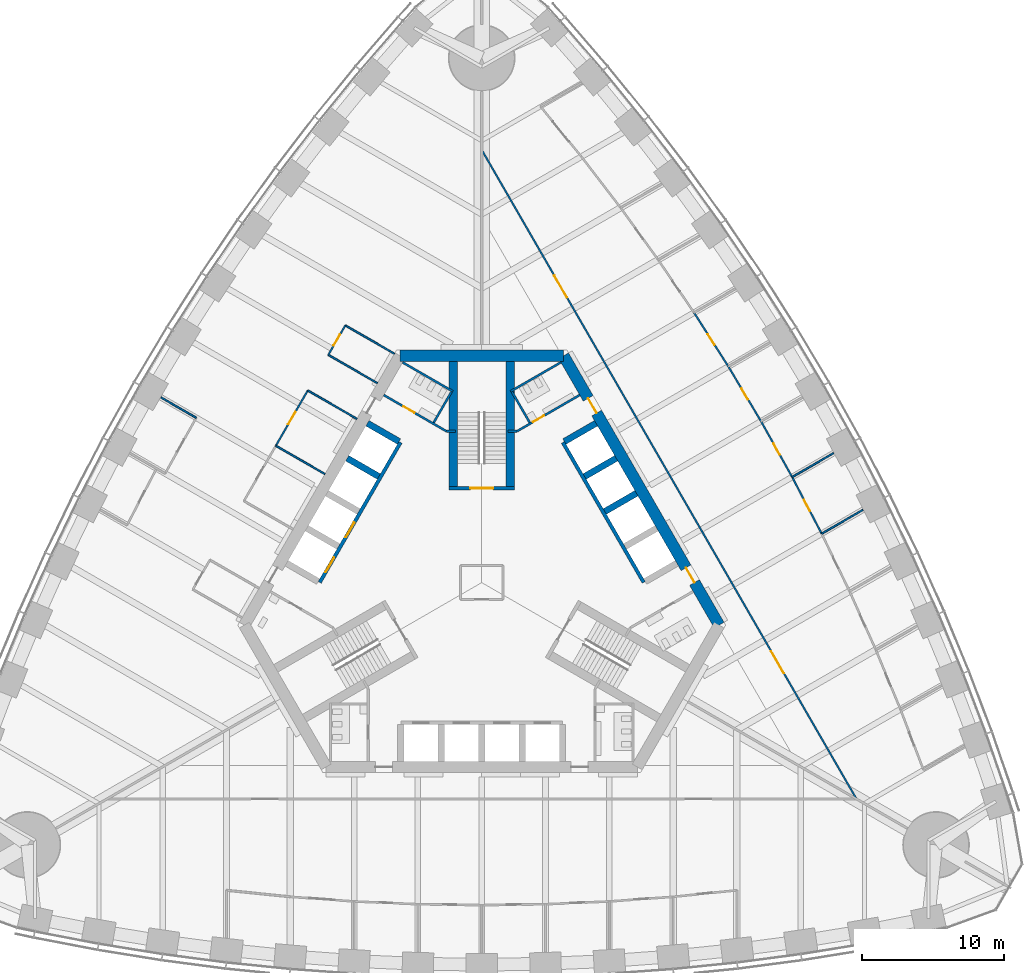
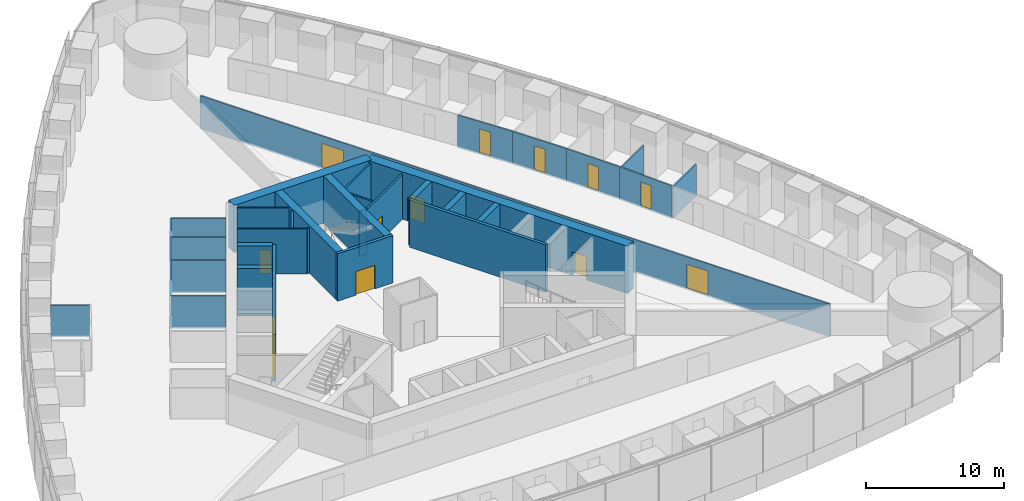
# One storey, part 12 of 18: 34 walls, 15 doors, 15 openings.
"""IFC4 building model written with IfcOpenShell, lengths in metres."""

from ifc_helpers import new_model, si_unit, direction, frame, frame_2d, origin, place, context, subcontext, project, spatial, rectangle, extrude, material, layer, layer_set, type_object, element, fill, save


model = new_model("IFC4")

# Units and contexts
model_context = context("Model", 3, precision=1e-05, world=origin(), true_north=direction((0.0, 1.0)))
body_context = subcontext(model_context, "Body", "Model", "MODEL_VIEW")
ifc_project = project(units=[si_unit("LENGTHUNIT", "METRE"), si_unit("AREAUNIT", "SQUARE_METRE"), si_unit("VOLUMEUNIT", "CUBIC_METRE"), si_unit("PLANEANGLEUNIT", "RADIAN"), si_unit("MASSUNIT", "GRAM", prefix="KILO")], contexts=[model_context])

# Site, building, storey
site_placement = place(None, origin())
site = spatial("IfcSite", under=ifc_project, at=site_placement, CompositionType="ELEMENT")
building_placement = place(site_placement, origin())
building = spatial("IfcBuilding", under=site, at=building_placement, Name="Trefoil Bronze Tower", CompositionType="ELEMENT")
storey_placement = place(building_placement, frame((0.0, 0.0, 62.699951171875)))
storey = spatial("IfcBuildingStorey", under=building, at=storey_placement, Name="L14", CompositionType="ELEMENT", Elevation=62.699951171875)

# Wall, openings, doors
ifc_material_1 = material(Name="Concrete B80", Category="concrete")
ifc_layer_1 = layer(ifc_material_1, 0.800048828125)
ifc_layer_set_1 = layer_set([ifc_layer_1], Name="Core wall 800")
wall_type_1 = type_object("IfcWallType", Name="Core wall 800", PredefinedType="SHEAR", material=ifc_layer_set_1)
wall_1_placement = place(storey_placement, frame((16.7431640625, -3.0, 0.0), z_axis=(0.0, 0.0, 1.0), x_axis=(-0.500002442456, 0.866023993627, 0.0)))
wall_1 = element("IfcWall", 1, at=wall_1_placement, inside=storey, type_object=wall_type_1, Name="Core long wall 2 L14", PredefinedType="SHEAR", context=body_context, shape_type="SweptSolid", body=[
    extrude(rectangle(XDim=21.939453125, YDim=0.800048828125, at=frame_2d((10.9697265625, 0.0))), origin(), (0.0, 0.0, 1.0), 4.199951171875),
])
opening_1_placement = place(wall_1_placement, frame((17.269775390625, 0.0, 0.0)))
opening_1 = element("IfcOpeningElement", 2, at=opening_1_placement, cuts=wall_1, Name="Opening D2", PredefinedType="OPENING", context=body_context, shape_type="SweptSolid", body=[
    extrude(rectangle(XDim=1.199951171875, YDim=2.10009765625, at=frame_2d((0.60009765625, 1.050048828125))), frame((0.0, 0.409912109375, 0.0), z_axis=(0.0, -1.0, 0.0), x_axis=(1.0, 0.0, 0.0)), (0.0, 0.0, 1.0), 0.820068359375),
])
opening_2_placement = place(wall_1_placement, frame((3.4697265625, 0.0, 0.0)))
opening_2 = element("IfcOpeningElement", 3, at=opening_2_placement, cuts=wall_1, Name="Opening D2", PredefinedType="OPENING", context=body_context, shape_type="SweptSolid", body=[
    extrude(rectangle(XDim=1.199951171875, YDim=2.10009765625, at=frame_2d((0.60009765625, 1.050048828125))), frame((0.0, 0.409912109375, 0.0), z_axis=(0.0, -1.0, 0.0), x_axis=(1.0, 0.0, 0.0)), (0.0, 0.0, 1.0), 0.820068359375),
])
ifc_material_2 = material(Name="Steel door", Category="steel")
door_type_1 = type_object("IfcDoorType", Name="Lobby door 1200", OperationType="SINGLE_SWING_RIGHT", PredefinedType="DOOR", material=ifc_material_2)
door_1_placement = place(opening_1_placement, origin())
door_1 = element("IfcDoor", 4, at=door_1_placement, inside=storey, type_object=door_type_1, Name="Lobby door F2+ L14", OperationType="SINGLE_SWING_RIGHT", OverallHeight=2.10009765625, OverallWidth=1.199951171875, PredefinedType="DOOR", context=body_context, shape_type="SweptSolid", body=[
    extrude(rectangle(XDim=1.199951171875, YDim=2.10009765625, at=frame_2d((0.60009765625, 1.050048828125))), frame((0.0, 0.02490234375, 0.0), z_axis=(0.0, -1.0, 0.0), x_axis=(1.0, 0.0, 0.0)), (0.0, 0.0, 1.0), 0.050048828125),
])
fill(opening_1, door_1)
door_2_placement = place(opening_2_placement, origin())
door_2 = element("IfcDoor", 5, at=door_2_placement, inside=storey, type_object=door_type_1, Name="Lobby door F2- L14", OperationType="SINGLE_SWING_LEFT", OverallHeight=2.10009765625, OverallWidth=1.199951171875, PredefinedType="DOOR", context=body_context, shape_type="SweptSolid", body=[
    extrude(rectangle(XDim=1.199951171875, YDim=2.10009765625, at=frame_2d((0.60009765625, 1.050048828125))), frame((0.0, 0.02490234375, 0.0), z_axis=(0.0, -1.0, 0.0), x_axis=(1.0, 0.0, 0.0)), (0.0, 0.0, 1.0), 0.050048828125),
])
fill(opening_2, door_2)

# Wall
wall_2_placement = place(storey_placement, frame((5.7734375, 16.0, 0.0), z_axis=(0.0, 0.0, 1.0), x_axis=(-1.0, 0.0, 0.0)))
element("IfcWall", 6, at=wall_2_placement, inside=storey, type_object=wall_type_1, Name="Core short wall 2 L14", PredefinedType="SHEAR", context=body_context, shape_type="SweptSolid", body=[
    extrude(rectangle(XDim=11.546875, YDim=0.800048828125, at=frame_2d((5.7734375, 0.0))), origin(), (0.0, 0.0, 1.0), 4.199951171875),
])

# Wall, openings, doors
ifc_material_3 = material(Name="Glazed partition", Category="glass")
ifc_layer_2 = layer(ifc_material_3, 0.1201171875)
ifc_layer_set_2 = layer_set([ifc_layer_2], Name="Glazed partition 120")
wall_type_2 = type_object("IfcWallType", Name="Glazed partition 120", PredefinedType="PARTITIONING", material=ifc_layer_set_2)
wall_3_placement = place(storey_placement, frame((26.41455078125, -15.2314453125, 0.0), z_axis=(0.0, 0.0, 1.0), x_axis=(-0.50000091641, 0.866024874695, 0.0)))
wall_3 = element("IfcWall", 7, at=wall_3_placement, inside=storey, type_object=wall_type_2, Name="Partition F2 L14", PredefinedType="PARTITIONING", context=body_context, shape_type="SweptSolid", body=[
    extrude(rectangle(XDim=52.79638671875, YDim=0.1201171875, at=frame_2d((26.398193359375, 0.0))), origin(), (0.0, 0.0, 1.0), 2.900146484375),
])
opening_3_placement = place(wall_3_placement, frame((10.199951171875, 0.0, 0.14990234375)))
opening_3 = element("IfcOpeningElement", 8, at=opening_3_placement, cuts=wall_3, Name="Opening D10", PredefinedType="OPENING", context=body_context, shape_type="SweptSolid", body=[
    extrude(rectangle(XDim=1.800048828125, YDim=2.10009765625, at=frame_2d((0.89990234375, 1.050048828125))), frame((0.0, 0.070068359375, 0.0), z_axis=(0.0, -1.0, 0.0), x_axis=(1.0, 0.0, 0.0)), (0.0, 0.0, 1.0), 0.14013671875),
])
opening_4_placement = place(wall_3_placement, frame((40.800048828125, 0.0, 0.14990234375)))
opening_4 = element("IfcOpeningElement", 9, at=opening_4_placement, cuts=wall_3, Name="Opening D10", PredefinedType="OPENING", context=body_context, shape_type="SweptSolid", body=[
    extrude(rectangle(XDim=1.800048828125, YDim=2.10009765625, at=frame_2d((0.89990234375, 1.050048828125))), frame((0.0, 0.070068359375, 0.0), z_axis=(0.0, -1.0, 0.0), x_axis=(1.0, 0.0, 0.0)), (0.0, 0.0, 1.0), 0.14013671875),
])
ifc_material_4 = material(Name="Timber door", Category="wood")
door_type_2 = type_object("IfcDoorType", Name="Double door 1800", OperationType="DOUBLE_DOOR_SINGLE_SWING", PredefinedType="DOOR", material=ifc_material_4)
door_3_placement = place(opening_3_placement, origin())
door_3 = element("IfcDoor", 10, at=door_3_placement, inside=storey, type_object=door_type_2, Name="Corridor door F2 L14", OperationType="DOUBLE_DOOR_SINGLE_SWING", OverallHeight=2.10009765625, OverallWidth=1.800048828125, PredefinedType="DOOR", context=body_context, shape_type="SweptSolid", body=[
    extrude(rectangle(XDim=1.800048828125, YDim=2.10009765625, at=frame_2d((0.89990234375, 1.050048828125))), frame((0.0, 0.02490234375, 0.0), z_axis=(0.0, -1.0, 0.0), x_axis=(1.0, 0.0, 0.0)), (0.0, 0.0, 1.0), 0.050048828125),
])
fill(opening_3, door_3)
door_4_placement = place(opening_4_placement, origin())
door_4 = element("IfcDoor", 11, at=door_4_placement, inside=storey, type_object=door_type_2, Name="Corridor door F2 L14", OperationType="DOUBLE_DOOR_SINGLE_SWING", OverallHeight=2.10009765625, OverallWidth=1.800048828125, PredefinedType="DOOR", context=body_context, shape_type="SweptSolid", body=[
    extrude(rectangle(XDim=1.800048828125, YDim=2.10009765625, at=frame_2d((0.89990234375, 1.050048828125))), frame((0.0, 0.02490234375, 0.0), z_axis=(0.0, -1.0, 0.0), x_axis=(1.0, 0.0, 0.0)), (0.0, 0.0, 1.0), 0.050048828125),
])
fill(opening_4, door_4)

# Wall, opening, door
wall_4_placement = place(storey_placement, frame((19.700927734375, 11.374267578125, 0.0), z_axis=(0.0, 0.0, 1.0), x_axis=(-0.512483962191, 0.858696796604, 0.0)))
wall_4 = element("IfcWall", 12, at=wall_4_placement, inside=storey, type_object=wall_type_2, Name="Partition F2 L14", PredefinedType="PARTITIONING", context=body_context, shape_type="SweptSolid", body=[
    extrude(rectangle(XDim=4.50048828125, YDim=0.1201171875, at=frame_2d((2.250244140625, 0.0))), origin(), (0.0, 0.0, 1.0), 2.900146484375),
])
opening_5_placement = place(wall_4_placement, frame((1.800048828125, 0.0, 0.14990234375)))
opening_5 = element("IfcOpeningElement", 13, at=opening_5_placement, cuts=wall_4, Name="Opening D8", PredefinedType="OPENING", context=body_context, shape_type="SweptSolid", body=[
    extrude(rectangle(XDim=0.89990234375, YDim=2.10009765625, at=frame_2d((0.449951171875, 1.050048828125))), frame((0.0, 0.070068359375, 0.0), z_axis=(0.0, -1.0, 0.0), x_axis=(1.0, 0.0, 0.0)), (0.0, 0.0, 1.0), 0.14013671875),
])
ifc_material_5 = material(Name="Timber door", Category="wood")
door_type_3 = type_object("IfcDoorType", Name="Office door 900", OperationType="SINGLE_SWING_LEFT", PredefinedType="DOOR", material=ifc_material_5)
door_5_placement = place(opening_5_placement, frame((0.89990234375, 0.0, 0.0), z_axis=(0.0, 0.0, 1.0), x_axis=(-1.0, 0.0, 0.0)))
door_5 = element("IfcDoor", 14, at=door_5_placement, inside=storey, type_object=door_type_3, Name="Office door F2 L14", OperationType="SINGLE_SWING_RIGHT", OverallHeight=2.10009765625, OverallWidth=0.89990234375, PredefinedType="DOOR", context=body_context, shape_type="SweptSolid", body=[
    extrude(rectangle(XDim=0.89990234375, YDim=2.10009765625, at=frame_2d((0.449951171875, 1.050048828125))), frame((0.0, 0.02490234375, 0.0), z_axis=(0.0, -1.0, 0.0), x_axis=(1.0, 0.0, 0.0)), (0.0, 0.0, 1.0), 0.050048828125),
])
fill(opening_5, door_5)

wall_5_placement = place(storey_placement, frame((17.39453125, 15.23876953125, 0.0), z_axis=(0.0, 0.0, 1.0), x_axis=(-0.537243691336, 0.843427066272, 0.0)))
wall_5 = element("IfcWall", 15, at=wall_5_placement, inside=storey, type_object=wall_type_2, Name="Partition F2 L14", PredefinedType="PARTITIONING", context=body_context, shape_type="SweptSolid", body=[
    extrude(rectangle(XDim=4.50439453125, YDim=0.1201171875, at=frame_2d((2.252197265625, 0.0))), origin(), (0.0, 0.0, 1.0), 2.900146484375),
])
opening_6_placement = place(wall_5_placement, frame((1.800048828125, 0.0, 0.14990234375)))
opening_6 = element("IfcOpeningElement", 16, at=opening_6_placement, cuts=wall_5, Name="Opening D8", PredefinedType="OPENING", context=body_context, shape_type="SweptSolid", body=[
    extrude(rectangle(XDim=0.89990234375, YDim=2.10009765625, at=frame_2d((0.449951171875, 1.050048828125))), frame((0.0, 0.070068359375, 0.0), z_axis=(0.0, -1.0, 0.0), x_axis=(1.0, 0.0, 0.0)), (0.0, 0.0, 1.0), 0.14013671875),
])
door_6_placement = place(opening_6_placement, frame((0.89990234375, 0.0, 0.0), z_axis=(0.0, 0.0, 1.0), x_axis=(-1.0, 0.0, 0.0)))
door_6 = element("IfcDoor", 17, at=door_6_placement, inside=storey, type_object=door_type_3, Name="Office door F2 L14", OperationType="SINGLE_SWING_RIGHT", OverallHeight=2.10009765625, OverallWidth=0.89990234375, PredefinedType="DOOR", context=body_context, shape_type="SweptSolid", body=[
    extrude(rectangle(XDim=0.89990234375, YDim=2.10009765625, at=frame_2d((0.449951171875, 1.050048828125))), frame((0.0, 0.02490234375, 0.0), z_axis=(0.0, -1.0, 0.0), x_axis=(1.0, 0.0, 0.0)), (0.0, 0.0, 1.0), 0.050048828125),
])
fill(opening_6, door_6)

wall_6_placement = place(storey_placement, frame((21.89453125, 7.444580078125, 0.0), z_axis=(0.0, 0.0, 1.0), x_axis=(-0.487415216275, 0.87317031955, 0.0)))
wall_6 = element("IfcWall", 18, at=wall_6_placement, inside=storey, type_object=wall_type_2, Name="Partition F2 L14", PredefinedType="PARTITIONING", context=body_context, shape_type="SweptSolid", body=[
    extrude(rectangle(XDim=4.50048828125, YDim=0.1201171875, at=frame_2d((2.250244140625, 0.0))), origin(), (0.0, 0.0, 1.0), 2.900146484375),
])
opening_7_placement = place(wall_6_placement, frame((1.800048828125, 0.0, 0.14990234375)))
opening_7 = element("IfcOpeningElement", 19, at=opening_7_placement, cuts=wall_6, Name="Opening D8", PredefinedType="OPENING", context=body_context, shape_type="SweptSolid", body=[
    extrude(rectangle(XDim=0.89990234375, YDim=2.10009765625, at=frame_2d((0.449951171875, 1.050048828125))), frame((0.0, 0.070068359375, 0.0), z_axis=(0.0, -1.0, 0.0), x_axis=(1.0, 0.0, 0.0)), (0.0, 0.0, 1.0), 0.14013671875),
])
door_7_placement = place(opening_7_placement, frame((0.89990234375, 0.0, 0.0), z_axis=(0.0, 0.0, 1.0), x_axis=(-1.0, 0.0, 0.0)))
door_7 = element("IfcDoor", 20, at=door_7_placement, inside=storey, type_object=door_type_3, Name="Office door F2 L14", OperationType="SINGLE_SWING_RIGHT", OverallHeight=2.10009765625, OverallWidth=0.89990234375, PredefinedType="DOOR", context=body_context, shape_type="SweptSolid", body=[
    extrude(rectangle(XDim=0.89990234375, YDim=2.10009765625, at=frame_2d((0.449951171875, 1.050048828125))), frame((0.0, 0.02490234375, 0.0), z_axis=(0.0, -1.0, 0.0), x_axis=(1.0, 0.0, 0.0)), (0.0, 0.0, 1.0), 0.050048828125),
])
fill(opening_7, door_7)

wall_7_placement = place(storey_placement, frame((23.974609375, 3.449462890625, 0.0), z_axis=(0.0, 0.0, 1.0), x_axis=(-0.461810056307, 0.886978845235, 0.0)))
wall_7 = element("IfcWall", 21, at=wall_7_placement, inside=storey, type_object=wall_type_2, Name="Partition F2 L14", PredefinedType="PARTITIONING", context=body_context, shape_type="SweptSolid", body=[
    extrude(rectangle(XDim=4.504150390625, YDim=0.1201171875, at=frame_2d((2.251953125, 0.0))), origin(), (0.0, 0.0, 1.0), 2.900146484375),
])
opening_8_placement = place(wall_7_placement, frame((1.800048828125, 0.0, 0.14990234375)))
opening_8 = element("IfcOpeningElement", 22, at=opening_8_placement, cuts=wall_7, Name="Opening D8", PredefinedType="OPENING", context=body_context, shape_type="SweptSolid", body=[
    extrude(rectangle(XDim=0.89990234375, YDim=2.10009765625, at=frame_2d((0.449951171875, 1.050048828125))), frame((0.0, 0.070068359375, 0.0), z_axis=(0.0, -1.0, 0.0), x_axis=(1.0, 0.0, 0.0)), (0.0, 0.0, 1.0), 0.14013671875),
])
door_8_placement = place(opening_8_placement, frame((0.89990234375, 0.0, 0.0), z_axis=(0.0, 0.0, 1.0), x_axis=(-1.0, 0.0, 0.0)))
door_8 = element("IfcDoor", 23, at=door_8_placement, inside=storey, type_object=door_type_3, Name="Office door F2 L14", OperationType="SINGLE_SWING_RIGHT", OverallHeight=2.10009765625, OverallWidth=0.89990234375, PredefinedType="DOOR", context=body_context, shape_type="SweptSolid", body=[
    extrude(rectangle(XDim=0.89990234375, YDim=2.10009765625, at=frame_2d((0.449951171875, 1.050048828125))), frame((0.0, 0.02490234375, 0.0), z_axis=(0.0, -1.0, 0.0), x_axis=(1.0, 0.0, 0.0)), (0.0, 0.0, 1.0), 0.050048828125),
])
fill(opening_8, door_8)

# Walls
wall_8_placement = place(storey_placement, frame((21.89453125, 7.444580078125, 0.0), z_axis=(0.0, 0.0, 1.0), x_axis=(0.866022675988, 0.500004724652, 0.0)))
element("IfcWall", 24, at=wall_8_placement, inside=storey, type_object=wall_type_2, Name="Partition F2 L14", PredefinedType="PARTITIONING", context=body_context, shape_type="SweptSolid", body=[
    extrude(rectangle(XDim=3.369140625, YDim=0.1201171875, at=frame_2d((1.6845703125, 0.0))), origin(), (0.0, 0.0, 1.0), 2.800048828125),
])
wall_9_placement = place(storey_placement, frame((23.974609375, 3.449462890625, 0.0), z_axis=(0.0, 0.0, 1.0), x_axis=(0.866039498442, 0.499975586543, 0.0)))
element("IfcWall", 25, at=wall_9_placement, inside=storey, type_object=wall_type_2, Name="Partition F2 L14", PredefinedType="PARTITIONING", context=body_context, shape_type="SweptSolid", body=[
    extrude(rectangle(XDim=3.367431640625, YDim=0.1201171875, at=frame_2d((1.68359375, 0.0))), origin(), (0.0, 0.0, 1.0), 2.800048828125),
])

# Wall, opening, door
wall_10_placement = place(storey_placement, frame((-9.618896484375, 18.1396484375, 0.0), z_axis=(0.0, 0.0, 1.0), x_axis=(-0.500001309137, -0.866024647952, 0.0)))
wall_10 = element("IfcWall", 26, at=wall_10_placement, inside=storey, type_object=wall_type_2, Name="Partition F3 L14", PredefinedType="PARTITIONING", context=body_context, shape_type="SweptSolid", body=[
    extrude(rectangle(XDim=2.39990234375, YDim=0.1201171875, at=frame_2d((1.199951171875, 0.0))), origin(), (0.0, 0.0, 1.0), 2.900146484375),
])
opening_9_placement = place(wall_10_placement, frame((0.75, 0.0, 0.14990234375)))
opening_9 = element("IfcOpeningElement", 27, at=opening_9_placement, cuts=wall_10, Name="Opening D8", PredefinedType="OPENING", context=body_context, shape_type="SweptSolid", body=[
    extrude(rectangle(XDim=0.89990234375, YDim=2.10009765625, at=frame_2d((0.449951171875, 1.050048828125))), frame((0.0, 0.070068359375, 0.0), z_axis=(0.0, -1.0, 0.0), x_axis=(1.0, 0.0, 0.0)), (0.0, 0.0, 1.0), 0.14013671875),
])
door_9_placement = place(opening_9_placement, origin())
door_9 = element("IfcDoor", 28, at=door_9_placement, inside=storey, type_object=door_type_3, Name="Comms room door F3 L14", OperationType="SINGLE_SWING_RIGHT", OverallHeight=2.10009765625, OverallWidth=0.89990234375, PredefinedType="DOOR", context=body_context, shape_type="SweptSolid", body=[
    extrude(rectangle(XDim=0.89990234375, YDim=2.10009765625, at=frame_2d((0.449951171875, 1.050048828125))), frame((0.0, 0.02490234375, 0.0), z_axis=(0.0, -1.0, 0.0), x_axis=(1.0, 0.0, 0.0)), (0.0, 0.0, 1.0), 0.050048828125),
])
fill(opening_9, door_9)

wall_11_placement = place(storey_placement, frame((-12.268798828125, 13.5498046875, 0.0), z_axis=(0.0, 0.0, 1.0), x_axis=(-0.499990139034, -0.866031096941, 0.0)))
wall_11 = element("IfcWall", 29, at=wall_11_placement, inside=storey, type_object=wall_type_2, Name="Partition F3 L14", PredefinedType="PARTITIONING", context=body_context, shape_type="SweptSolid", body=[
    extrude(rectangle(XDim=4.5, YDim=0.1201171875, at=frame_2d((2.25, 0.0))), origin(), (0.0, 0.0, 1.0), 2.900146484375),
])
opening_10_placement = place(wall_11_placement, frame((1.75, 0.0, 0.14990234375)))
opening_10 = element("IfcOpeningElement", 30, at=opening_10_placement, cuts=wall_11, Name="Opening D9", PredefinedType="OPENING", context=body_context, shape_type="SweptSolid", body=[
    extrude(rectangle(XDim=1.0, YDim=2.10009765625, at=frame_2d((0.5, 1.050048828125))), frame((0.0, 0.070068359375, 0.0), z_axis=(0.0, -1.0, 0.0), x_axis=(1.0, 0.0, 0.0)), (0.0, 0.0, 1.0), 0.14013671875),
])
ifc_material_6 = material(Name="Glazed timber door", Category="wood")
door_type_4 = type_object("IfcDoorType", Name="Meeting room door 1000", OperationType="SINGLE_SWING_LEFT", PredefinedType="DOOR", material=ifc_material_6)
door_10_placement = place(opening_10_placement, origin())
door_10 = element("IfcDoor", 31, at=door_10_placement, inside=storey, type_object=door_type_4, Name="Project room door F3 L14", OperationType="SINGLE_SWING_RIGHT", OverallHeight=2.10009765625, OverallWidth=1.0, PredefinedType="DOOR", context=body_context, shape_type="SweptSolid", body=[
    extrude(rectangle(XDim=1.0, YDim=2.10009765625, at=frame_2d((0.5, 1.050048828125))), frame((0.0, 0.02490234375, 0.0), z_axis=(0.0, -1.0, 0.0), x_axis=(1.0, 0.0, 0.0)), (0.0, 0.0, 1.0), 0.050048828125),
])
fill(opening_10, door_10)

# Walls
for number, where, z_axis, x_axis, name in (
    (32, (-11.0546875, 7.652587890625, 0.0), (0.0, 0.0, 1.0), (-0.866026010844, 0.49999894854, 0.0), "Partition F3 L14"),
    (33, (-6.15478515625, 16.1396484375, 0.0), (0.0, 0.0, 1.0), (-0.866026010844, 0.49999894854, 0.0), "Partition F3 L14"),
    (34, (-8.8046875, 11.5498046875, 0.0), (0.0, 0.0, 1.0), (-0.866026010844, 0.49999894854, 0.0), "Partition F3 L14"),
    (35, (-7.354736328125, 14.061279296875, 0.0), (0.0, 0.0, 1.0), (-0.866026010844, 0.49999894854, 0.0), "Partition F3 L14"),
):
    element("IfcWall", number, at=place(storey_placement, frame(where, z_axis=z_axis, x_axis=x_axis)), inside=storey, type_object=wall_type_2, Name=name, PredefinedType="PARTITIONING", context=body_context, shape_type="SweptSolid", body=[
        extrude(rectangle(XDim=4.0, YDim=0.1201171875, at=frame_2d((2.0, 0.0))), origin(), (0.0, 0.0, 1.0), 2.900146484375),
    ])
wall_12_placement = place(storey_placement, frame((-20.134033203125, 11.624267578125, 0.0), z_axis=(0.0, 0.0, 1.0), x_axis=(-0.866004249561, 0.500036638401, 0.0)))
element("IfcWall", 36, at=wall_12_placement, inside=storey, type_object=wall_type_2, Name="Partition F3 L14", PredefinedType="PARTITIONING", context=body_context, shape_type="SweptSolid", body=[
    extrude(rectangle(XDim=2.869873046875, YDim=0.1201171875, at=frame_2d((1.43505859375, 0.0))), origin(), (0.0, 0.0, 1.0), 2.800048828125),
])
ifc_material_7 = material(Name="Concrete B80", Category="concrete")
ifc_layer_3 = layer(ifc_material_7, 0.449951171875)
ifc_layer_set_3 = layer_set([ifc_layer_3], Name="Outrigger shaft wall 450")
wall_type_3 = type_object("IfcWallType", Name="Outrigger shaft wall 450", PredefinedType="SHEAR", material=ifc_layer_set_3)
for number, where, z_axis, x_axis, name in (
    (37, (8.681884765625, 5.012451171875, 0.0), (0.0, 0.0, 1.0), (0.866005588531, 0.500034319456, 0.0), "Lift shaft side wall B2 L14"),
    (38, (7.2568359375, 7.480712890625, 0.0), (0.0, 0.0, 1.0), (0.866046643894, 0.499963209246, 0.0), "Lift shaft side wall B3 L14"),
):
    element("IfcWall", number, at=place(storey_placement, frame(where, z_axis=z_axis, x_axis=x_axis)), inside=storey, type_object=wall_type_3, Name=name, PredefinedType="SHEAR", context=body_context, shape_type="SweptSolid", body=[
        extrude(rectangle(XDim=2.574951171875, YDim=0.449951171875, at=frame_2d((1.28759765625, 0.0))), origin(), (0.0, 0.0, 1.0), 4.199951171875),
    ])
for number, where, z_axis, x_axis, name in (
    (39, (5.831787109375, 9.94873046875, 0.0), (0.0, 0.0, 1.0), (0.866029291668, 0.499993265928, 0.0), "Lift shaft side wall B4 L14"),
    (40, (-5.831787109375, 9.94873046875, 0.0), (0.0, 0.0, 1.0), (-0.866029291668, 0.499993265928, 0.0), "Lift shaft side wall C0 L14"),
):
    element("IfcWall", number, at=place(storey_placement, frame(where, z_axis=z_axis, x_axis=x_axis)), inside=storey, type_object=wall_type_3, Name=name, PredefinedType="SHEAR", context=body_context, shape_type="SweptSolid", body=[
        extrude(rectangle(XDim=2.5751953125, YDim=0.449951171875, at=frame_2d((1.28759765625, 0.0))), origin(), (0.0, 0.0, 1.0), 4.199951171875),
    ])
wall_13_placement = place(storey_placement, frame((-7.2568359375, 7.480712890625, 0.0), z_axis=(0.0, 0.0, 1.0), x_axis=(-0.866046643894, 0.499963209246, 0.0)))
element("IfcWall", 41, at=wall_13_placement, inside=storey, type_object=wall_type_3, Name="Lift shaft side wall C1 L14", PredefinedType="SHEAR", context=body_context, shape_type="SweptSolid", body=[
    extrude(rectangle(XDim=2.574951171875, YDim=0.449951171875, at=frame_2d((1.28759765625, 0.0))), origin(), (0.0, 0.0, 1.0), 4.199951171875),
])

# Wall, opening, door
ifc_material_8 = material(Name="Gypsum board on steel studs", Category="steel")
ifc_layer_4 = layer(ifc_material_8, 0.14990234375)
ifc_layer_set_4 = layer_set([ifc_layer_4], Name="Partition 150")
wall_type_4 = type_object("IfcWallType", Name="Partition 150", PredefinedType="PARTITIONING", material=ifc_layer_set_4)
wall_14_placement = place(storey_placement, frame((2.4951171875, 10.67822265625, 0.0), z_axis=(0.0, 0.0, 1.0), x_axis=(0.86602216432, 0.500005610874, 0.0)))
wall_14 = element("IfcWall", 42, at=wall_14_placement, inside=storey, type_object=wall_type_4, Name="Passage wall F2+ L14", PredefinedType="PARTITIONING", context=body_context, shape_type="SweptSolid", body=[
    extrude(rectangle(XDim=5.10009765625, YDim=0.14990234375, at=frame_2d((2.550048828125, 0.0))), origin(), (0.0, 0.0, 1.0), 4.0),
])
opening_11_placement = place(wall_14_placement, frame((1.300048828125, 0.0, 0.0)))
opening_11 = element("IfcOpeningElement", 43, at=opening_11_placement, cuts=wall_14, Name="Opening D3", PredefinedType="OPENING", context=body_context, shape_type="SweptSolid", body=[
    extrude(rectangle(XDim=0.89990234375, YDim=2.10009765625, at=frame_2d((0.449951171875, 1.050048828125))), frame((0.0, 0.0849609375, 0.0), z_axis=(0.0, -1.0, 0.0), x_axis=(1.0, 0.0, 0.0)), (0.0, 0.0, 1.0), 0.169921875),
])
ifc_material_9 = material(Name="Timber door", Category="wood")
door_type_5 = type_object("IfcDoorType", Name="WC door 900", OperationType="SINGLE_SWING_LEFT", PredefinedType="DOOR", material=ifc_material_9)
door_11_placement = place(opening_11_placement, origin())
door_11 = element("IfcDoor", 44, at=door_11_placement, inside=storey, type_object=door_type_5, Name="WC (men) door L14", OperationType="SINGLE_SWING_LEFT", OverallHeight=2.10009765625, OverallWidth=0.89990234375, PredefinedType="DOOR", context=body_context, shape_type="SweptSolid", body=[
    extrude(rectangle(XDim=0.89990234375, YDim=2.10009765625, at=frame_2d((0.449951171875, 1.050048828125))), frame((0.0, 0.02490234375, 0.0), z_axis=(0.0, -1.0, 0.0), x_axis=(1.0, 0.0, 0.0)), (0.0, 0.0, 1.0), 0.050048828125),
])
fill(opening_11, door_11)

wall_15_placement = place(storey_placement, frame((-2.4951171875, 10.67822265625, 0.0), z_axis=(0.0, 0.0, 1.0), x_axis=(-0.86602216432, 0.500005610874, 0.0)))
wall_15 = element("IfcWall", 45, at=wall_15_placement, inside=storey, type_object=wall_type_4, Name="Passage wall F3- L14", PredefinedType="PARTITIONING", context=body_context, shape_type="SweptSolid", body=[
    extrude(rectangle(XDim=5.10009765625, YDim=0.14990234375, at=frame_2d((2.550048828125, 0.0))), origin(), (0.0, 0.0, 1.0), 4.0),
])
opening_12_placement = place(wall_15_placement, frame((2.60009765625, 0.0, 0.0)))
opening_12 = element("IfcOpeningElement", 46, at=opening_12_placement, cuts=wall_15, Name="Opening D3", PredefinedType="OPENING", context=body_context, shape_type="SweptSolid", body=[
    extrude(rectangle(XDim=0.89990234375, YDim=2.10009765625, at=frame_2d((0.449951171875, 1.050048828125))), frame((0.0, 0.0849609375, 0.0), z_axis=(0.0, -1.0, 0.0), x_axis=(1.0, 0.0, 0.0)), (0.0, 0.0, 1.0), 0.169921875),
])
door_12_placement = place(opening_12_placement, frame((0.89990234375, 0.0, 0.0), z_axis=(0.0, 0.0, 1.0), x_axis=(-1.0, 0.0, 0.0)))
door_12 = element("IfcDoor", 47, at=door_12_placement, inside=storey, type_object=door_type_5, Name="WC (women) door L14", OperationType="SINGLE_SWING_RIGHT", OverallHeight=2.10009765625, OverallWidth=0.89990234375, PredefinedType="DOOR", context=body_context, shape_type="SweptSolid", body=[
    extrude(rectangle(XDim=0.89990234375, YDim=2.10009765625, at=frame_2d((0.449951171875, 1.050048828125))), frame((0.0, 0.02490234375, 0.0), z_axis=(0.0, -1.0, 0.0), x_axis=(1.0, 0.0, 0.0)), (0.0, 0.0, 1.0), 0.050048828125),
])
fill(opening_12, door_12)

# Walls
for number, where, z_axis, x_axis, name in (
    (48, (2.4951171875, 10.67822265625, 0.0), (0.0, 0.0, 1.0), (-1.0, 0.0, 0.0), "WC wall ST2-1 L14"),
    (49, (-2.4951171875, 10.67822265625, 0.0), (0.0, 0.0, 1.0), (1.0, 0.0, 0.0), "WC wall ST2+1 L14"),
):
    element("IfcWall", number, at=place(storey_placement, frame(where, z_axis=z_axis, x_axis=x_axis)), inside=storey, type_object=wall_type_4, Name=name, PredefinedType="PARTITIONING", context=body_context, shape_type="SweptSolid", body=[
        extrude(rectangle(XDim=0.64501953125, YDim=0.14990234375, at=frame_2d((0.322509765625, 0.0))), origin(), (0.0, 0.0, 1.0), 4.0),
    ])
wall_16_placement = place(storey_placement, frame((2.03125, 13.48193359375, 0.0), z_axis=(0.0, 0.0, 1.0), x_axis=(0.866050731258, 0.499956128963, 0.0)))
element("IfcWall", 50, at=wall_16_placement, inside=storey, type_object=wall_type_4, Name="WC partition WC (men) L14", PredefinedType="PARTITIONING", context=body_context, shape_type="SweptSolid", body=[
    extrude(rectangle(XDim=4.099853515625, YDim=0.14990234375, at=frame_2d((2.0498046875, 0.0))), origin(), (0.0, 0.0, 1.0), 4.0),
])
wall_17_placement = place(storey_placement, frame((3.388671875, 11.28076171875, 0.0), z_axis=(0.0, 0.0, 1.0), x_axis=(-0.499989096993, 0.866031698547, 0.0)))
element("IfcWall", 51, at=wall_17_placement, inside=storey, type_object=wall_type_4, Name="WC partition WC (men) L14", PredefinedType="PARTITIONING", context=body_context, shape_type="SweptSolid", body=[
    extrude(rectangle(XDim=2.509765625, YDim=0.14990234375, at=frame_2d((1.2548828125, 0.0))), origin(), (0.0, 0.0, 1.0), 4.0),
])
wall_18_placement = place(storey_placement, frame((-2.03125, 13.48193359375, 0.0), z_axis=(0.0, 0.0, 1.0), x_axis=(-0.866050731258, 0.499956128963, 0.0)))
element("IfcWall", 52, at=wall_18_placement, inside=storey, type_object=wall_type_4, Name="WC partition WC (women) L14", PredefinedType="PARTITIONING", context=body_context, shape_type="SweptSolid", body=[
    extrude(rectangle(XDim=4.099853515625, YDim=0.14990234375, at=frame_2d((2.0498046875, 0.0))), origin(), (0.0, 0.0, 1.0), 4.0),
])
wall_19_placement = place(storey_placement, frame((-3.388671875, 11.28076171875, 0.0), z_axis=(0.0, 0.0, 1.0), x_axis=(0.499989096993, 0.866031698547, 0.0)))
element("IfcWall", 53, at=wall_19_placement, inside=storey, type_object=wall_type_4, Name="WC partition WC (women) L14", PredefinedType="PARTITIONING", context=body_context, shape_type="SweptSolid", body=[
    extrude(rectangle(XDim=2.509765625, YDim=0.14990234375, at=frame_2d((1.2548828125, 0.0))), origin(), (0.0, 0.0, 1.0), 4.0),
])
ifc_material_10 = material(Name="Concrete B80", Category="concrete")
ifc_layer_5 = layer(ifc_material_10, 0.25)
ifc_layer_set_5 = layer_set([ifc_layer_5], Name="Shaft wall 250")
wall_type_5 = type_object("IfcWallType", Name="Shaft wall 250", PredefinedType="SHEAR", material=ifc_layer_set_5)
wall_20_placement = place(storey_placement, frame((11.423583984375, 0.013671875, 0.0), z_axis=(0.0, 0.0, 1.0), x_axis=(-0.500001763848, 0.866024385424, 0.0)))
element("IfcWall", 54, at=wall_20_placement, inside=storey, type_object=wall_type_5, Name="Lift shaft front wall B L14", PredefinedType="SHEAR", context=body_context, shape_type="SweptSolid", body=[
    extrude(rectangle(XDim=11.39990234375, YDim=0.25, at=frame_2d((5.699951171875, 0.0))), origin(), (0.0, 0.0, 1.0), 4.199951171875),
])

# Wall, openings, doors
wall_21_placement = place(storey_placement, frame((-5.7236328125, 9.88623046875, 0.0), z_axis=(0.0, 0.0, 1.0), x_axis=(-0.500001763848, -0.866024385424, 0.0)))
wall_21 = element("IfcWall", 55, at=wall_21_placement, inside=storey, type_object=wall_type_5, Name="Lift shaft front wall C L14", PredefinedType="SHEAR", context=body_context, shape_type="SweptSolid", body=[
    extrude(rectangle(XDim=11.39990234375, YDim=0.25, at=frame_2d((5.699951171875, 0.0))), origin(), (0.0, 0.0, 1.0), 4.199951171875),
])
opening_13_placement = place(wall_21_placement, frame((6.52490234375, 0.0, 0.0)))
opening_13 = element("IfcOpeningElement", 56, at=opening_13_placement, cuts=wall_21, Name="Opening LD-FL1", PredefinedType="OPENING", context=body_context, shape_type="SweptSolid", body=[
    extrude(rectangle(XDim=1.199951171875, YDim=2.199951171875, at=frame_2d((0.60009765625, 1.10009765625))), frame((0.0, 0.135009765625, 0.0), z_axis=(0.0, -1.0, 0.0), x_axis=(1.0, 0.0, 0.0)), (0.0, 0.0, 1.0), 0.27001953125),
])
opening_14_placement = place(wall_21_placement, frame((9.375, 0.0, 0.0)))
opening_14 = element("IfcOpeningElement", 57, at=opening_14_placement, cuts=wall_21, Name="Opening LD-FL2", PredefinedType="OPENING", context=body_context, shape_type="SweptSolid", body=[
    extrude(rectangle(XDim=1.199951171875, YDim=2.199951171875, at=frame_2d((0.60009765625, 1.10009765625))), frame((0.0, 0.135009765625, 0.0), z_axis=(0.0, -1.0, 0.0), x_axis=(1.0, 0.0, 0.0)), (0.0, 0.0, 1.0), 0.27001953125),
])
ifc_material_11 = material(Name="Steel door", Category="steel")
door_type_6 = type_object("IfcDoorType", Name="Lift landing door 1200", OperationType="DOUBLE_DOOR_SLIDING", PredefinedType="DOOR", material=ifc_material_11)
door_13_placement = place(opening_13_placement, origin())
door_13 = element("IfcDoor", 58, at=door_13_placement, inside=storey, type_object=door_type_6, Name="Lift FL1 landing door L14", OperationType="DOUBLE_DOOR_SLIDING", OverallHeight=2.199951171875, OverallWidth=1.199951171875, PredefinedType="DOOR", context=body_context, shape_type="SweptSolid", body=[
    extrude(rectangle(XDim=1.199951171875, YDim=2.199951171875, at=frame_2d((0.60009765625, 1.10009765625))), frame((0.0, 0.02490234375, 0.0), z_axis=(0.0, -1.0, 0.0), x_axis=(1.0, 0.0, 0.0)), (0.0, 0.0, 1.0), 0.050048828125),
])
fill(opening_13, door_13)
door_14_placement = place(opening_14_placement, origin())
door_14 = element("IfcDoor", 59, at=door_14_placement, inside=storey, type_object=door_type_6, Name="Lift FL2 landing door L14", OperationType="DOUBLE_DOOR_SLIDING", OverallHeight=2.199951171875, OverallWidth=1.199951171875, PredefinedType="DOOR", context=body_context, shape_type="SweptSolid", body=[
    extrude(rectangle(XDim=1.199951171875, YDim=2.199951171875, at=frame_2d((0.60009765625, 1.10009765625))), frame((0.0, 0.02490234375, 0.0), z_axis=(0.0, -1.0, 0.0), x_axis=(1.0, 0.0, 0.0)), (0.0, 0.0, 1.0), 0.050048828125),
])
fill(opening_14, door_14)

# Wall, opening, door
wall_22_placement = place(storey_placement, frame((2.324951171875, 6.64990234375, 0.0), z_axis=(0.0, 0.0, 1.0), x_axis=(-1.0, 0.0, 0.0)))
wall_22 = element("IfcWall", 60, at=wall_22_placement, inside=storey, type_object=wall_type_5, Name="Stair end wall ST2 L14", PredefinedType="SHEAR", context=body_context, shape_type="SweptSolid", body=[
    extrude(rectangle(XDim=4.64990234375, YDim=0.25, at=frame_2d((2.324951171875, 0.0))), origin(), (0.0, 0.0, 1.0), 4.199951171875),
])
opening_15_placement = place(wall_22_placement, frame((1.52490234375, 0.0, 0.0)))
opening_15 = element("IfcOpeningElement", 61, at=opening_15_placement, cuts=wall_22, Name="Opening D1", PredefinedType="OPENING", context=body_context, shape_type="SweptSolid", body=[
    extrude(rectangle(XDim=1.60009765625, YDim=2.10009765625, at=frame_2d((0.800048828125, 1.050048828125))), frame((0.0, 0.135009765625, 0.0), z_axis=(0.0, -1.0, 0.0), x_axis=(1.0, 0.0, 0.0)), (0.0, 0.0, 1.0), 0.27001953125),
])
ifc_material_12 = material(Name="Steel door", Category="steel")
door_type_7 = type_object("IfcDoorType", Name="Stair door 1600", OperationType="DOUBLE_DOOR_SINGLE_SWING", PredefinedType="DOOR", material=ifc_material_12)
door_15_placement = place(opening_15_placement, frame((1.60009765625, 0.0, 0.0), z_axis=(0.0, 0.0, 1.0), x_axis=(-1.0, 0.0, 0.0)))
door_15 = element("IfcDoor", 62, at=door_15_placement, inside=storey, type_object=door_type_7, Name="Stair door ST2 L14", OperationType="DOUBLE_DOOR_SINGLE_SWING", OverallHeight=2.10009765625, OverallWidth=1.60009765625, PredefinedType="DOOR", context=body_context, shape_type="SweptSolid", body=[
    extrude(rectangle(XDim=1.60009765625, YDim=2.10009765625, at=frame_2d((0.800048828125, 1.050048828125))), frame((0.0, 0.02490234375, 0.0), z_axis=(0.0, -1.0, 0.0), x_axis=(1.0, 0.0, 0.0)), (0.0, 0.0, 1.0), 0.050048828125),
])
fill(opening_15, door_15)

# Walls
ifc_material_13 = material(Name="Concrete B80", Category="concrete")
ifc_layer_6 = layer(ifc_material_13, 0.60009765625)
ifc_layer_set_6 = layer_set([ifc_layer_6], Name="Stair wall 600")
wall_type_6 = type_object("IfcWallType", Name="Stair wall 600", PredefinedType="SHEAR", material=ifc_layer_set_6)
for number, where, z_axis, x_axis, name in (
    (63, (2.02490234375, 6.52490234375, 0.0), (0.0, 0.0, 1.0), (0.0, 1.0, 0.0), "Stair wall ST2 L14"),
    (64, (-2.02490234375, 6.52490234375, 0.0), (0.0, 0.0, 1.0), (0.0, 1.0, 0.0), "Stair wall ST2 L14"),
):
    element("IfcWall", number, at=place(storey_placement, frame(where, z_axis=z_axis, x_axis=x_axis)), inside=storey, type_object=wall_type_6, Name=name, PredefinedType="SHEAR", context=body_context, shape_type="SweptSolid", body=[
        extrude(rectangle(XDim=9.0751953125, YDim=0.60009765625, at=frame_2d((4.53759765625, 0.0))), origin(), (0.0, 0.0, 1.0), 4.199951171875),
    ])

save(model, "model.ifc")
